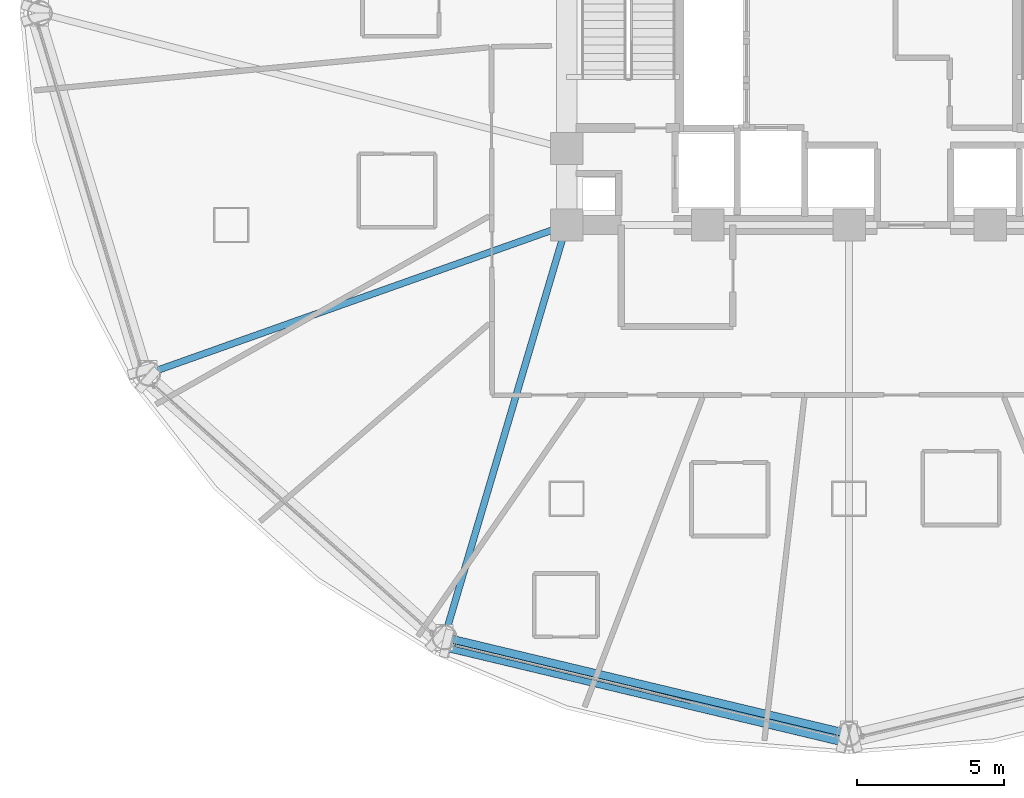
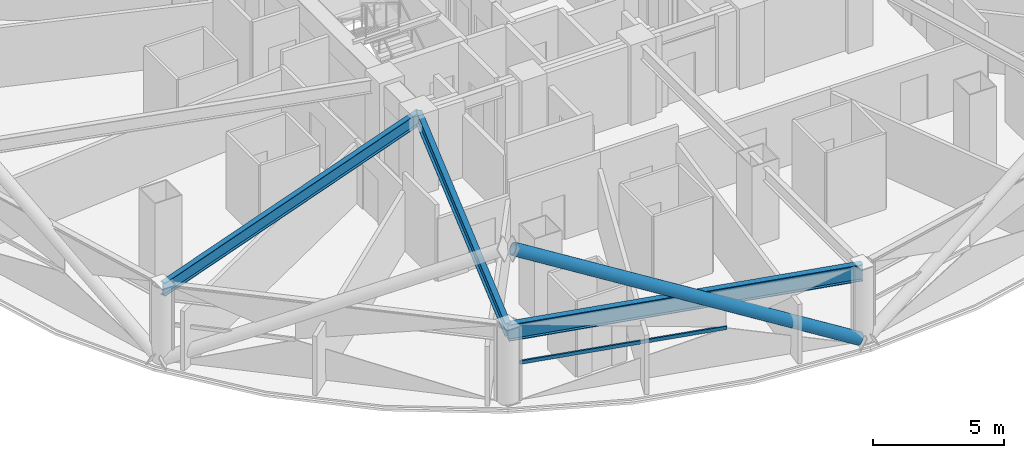
# One storey, part 3 of 30: 3 beams, 2 members, 1 element without a shape of its own.
"""IFC4 building model written with IfcOpenShell, lengths in metres."""

from ifc_helpers import new_model, si_unit, direction, frame, origin, origin_2d, place, context, subcontext, project, spatial, hollow_rectangle, hollow_circle, i_section, extrude, material, layer, layer_set, material_profile, profile_set, type_object, element, aggregate, save


model = new_model("IFC4")

# Units and contexts
model_context = context("Model", 3, precision=1e-05, world=origin(), true_north=direction((0.0, 1.0)))
body_context = subcontext(model_context, "Body", "Model", "MODEL_VIEW")
ifc_project = project(units=[si_unit("LENGTHUNIT", "METRE"), si_unit("AREAUNIT", "SQUARE_METRE"), si_unit("VOLUMEUNIT", "CUBIC_METRE"), si_unit("PLANEANGLEUNIT", "RADIAN"), si_unit("MASSUNIT", "GRAM", prefix="KILO")], contexts=[model_context])

# Site, building, storey
site_placement = place(None, origin())
site = spatial("IfcSite", under=ifc_project, at=site_placement, CompositionType="ELEMENT")
building_placement = place(site_placement, origin())
building = spatial("IfcBuilding", under=site, at=building_placement, Name="Vantalir Tower", CompositionType="ELEMENT")
storey_placement = place(building_placement, frame((0.0, 0.0, 79.5)))
storey = spatial("IfcBuildingStorey", under=building, at=storey_placement, Name="L19", CompositionType="ELEMENT", Elevation=79.5)

# Beams
ifc_material_1 = material(Name="Steel S355", Category="steel")
ifc_material_profile_1 = material_profile(ifc_material_1, i_section(OverallWidth=0.22998046875, OverallDepth=0.616943359375, WebThickness=0.01318359375, FlangeThickness=0.022216796875, at=origin_2d()), Name="Steel S355")
ifc_profile_set_1 = profile_set([ifc_material_profile_1], Name="Steel S355")
beam_type_1 = type_object("IfcBeamType", Name="BM-RB-610x229", PredefinedType="BEAM", material=ifc_profile_set_1)
beam_1_placement = place(storey_placement, frame((7.68408203125, 12.751953125, 3.261962890625), z_axis=(0.942348909406, 0.334631936522, 0.0), x_axis=(-0.334631936522, 0.942348909406, 0.0)))
element("IfcBeam", 1, at=beam_1_placement, inside=storey, type_object=beam_type_1, Name="L19 Radial Floor Beam 08", PredefinedType="BEAM", context=body_context, shape_type="SweptSolid", body=[
    extrude(i_section(OverallWidth=0.22998046875, OverallDepth=0.616943359375, WebThickness=0.01318359375, FlangeThickness=0.022216796875, at=origin_2d()), origin(), (0.0, 0.0, 1.0), 15.08544921875),
])
beam_2_placement = place(storey_placement, frame((17.75, 3.787109375, 3.261962890625), z_axis=(0.283957507108, 0.958836865247, 0.0), x_axis=(-0.958836865247, 0.283957507108, 0.0)))
element("IfcBeam", 2, at=beam_2_placement, inside=storey, type_object=beam_type_1, Name="L19 Radial Floor Beam 09", PredefinedType="BEAM", context=body_context, shape_type="SweptSolid", body=[
    extrude(i_section(OverallWidth=0.22998046875, OverallDepth=0.616943359375, WebThickness=0.01318359375, FlangeThickness=0.022216796875, at=origin_2d()), origin(), (0.0, 0.0, 1.0), 14.614501953125),
])
ifc_material_2 = material(Name="Steel S460", Category="steel")
ifc_material_profile_2 = material_profile(ifc_material_2, i_section(OverallWidth=0.26806640625, OverallDepth=0.77001953125, WebThickness=0.015625, FlangeThickness=0.025390625, at=origin_2d()), Name="Steel S460")
ifc_profile_set_2 = profile_set([ifc_material_profile_2], Name="Steel S460")
beam_type_2 = type_object("IfcBeamType", Name="BM-RG-762x267", PredefinedType="USERDEFINED", material=ifc_profile_set_2)
beam_3_placement = place(storey_placement, frame((17.75, 3.787109375, 3.18505859375), z_axis=(0.972671890468, -0.232183964763, 0.0), x_axis=(0.232183964763, 0.972671890468, 0.0)))
element("IfcBeam", 3, at=beam_3_placement, inside=storey, type_object=beam_type_2, Name="L19 Circumferential Ring Girder 09", ObjectType="GIRDER", PredefinedType="USERDEFINED", context=body_context, shape_type="SweptSolid", body=[
    extrude(i_section(OverallWidth=0.26806640625, OverallDepth=0.77001953125, WebThickness=0.015625, FlangeThickness=0.025390625, at=origin_2d()), origin(), (0.0, 0.0, 1.0), 14.13623046875),
])

# Curtain wall, member
ifc_material_3 = material(Name="Champagne-silver PVDF aluminium and double-silver Low-E glass", Category="aluminium")
ifc_layer = layer(ifc_material_3, 0.18994140625)
ifc_layer_set = layer_set([ifc_layer], Name="Champagne-silver PVDF aluminium and double-silver Low-E glass")
curtain_wall_type = type_object("IfcCurtainWallType", Name="CW-DIAMOND-Z1", PredefinedType="USERDEFINED", material=ifc_layer_set)
curtain_wall_placement = place(storey_placement, origin())
curtain_wall = element("IfcCurtainWall", 4, at=curtain_wall_placement, inside=storey, type_object=curtain_wall_type, Name="L19 Quilted Pyramid-Diamond Curtain Wall S09", ObjectType="UNITISED CURTAIN WALL", PredefinedType="USERDEFINED")
ifc_material_4 = material(Name="Champagne-silver PVDF aluminium 6063-T6", Category="aluminium")
ifc_material_profile_3 = material_profile(ifc_material_4, hollow_rectangle(XDim=0.074951171875, YDim=0.159912109375, WallThickness=0.00390625, at=origin_2d()), Name="Champagne-silver PVDF aluminium 6063-T6")
ifc_profile_set_3 = profile_set([ifc_material_profile_3], Name="Champagne-silver PVDF aluminium 6063-T6")
member_type_1 = type_object("IfcMemberType", Name="CWT-160x75", PredefinedType="USERDEFINED", material=ifc_profile_set_3)
member_1_placement = place(storey_placement, frame((18.112060546875, 3.512939453125, 1.784912109375), z_axis=(0.971942503817, -0.235218556398, 0.0), x_axis=(0.235218556398, 0.971942503817, 0.0)))
member_1 = element("IfcMember", 5, at=member_1_placement, type_object=member_type_1, Name="CW-L19-S09 Pyramid Fold Ridge Transom", ObjectType="TRANSOM", PredefinedType="USERDEFINED", context=body_context, shape_type="SweptSolid", body=[
    extrude(hollow_rectangle(XDim=0.074951171875, YDim=0.159912109375, WallThickness=0.00390625, at=origin_2d()), origin(), (0.0, 0.0, 1.0), 8.2431640625),
])
aggregate(curtain_wall, [member_1])

# Member
ifc_material_profile_4 = material_profile(ifc_material_2, hollow_circle(Radius=0.27001953125, WallThickness=0.044921875, at=origin_2d()), Name="Steel S460")
ifc_profile_set_4 = profile_set([ifc_material_profile_4], Name="Steel S460")
member_type_2 = type_object("IfcMemberType", Name="MEM-DB-540x45", PredefinedType="BRACE", material=ifc_profile_set_4)
member_2_placement = place(storey_placement, frame((31.30908203125, 0.361083984375, 0.178955078125), z_axis=(-0.868927817493, 0.207490098844, 0.449346533166), x_axis=(-0.232258742667, -0.972654037392, 0.0)))
element("IfcMember", 6, at=member_2_placement, inside=storey, type_object=member_type_2, Name="L19 Perimeter S460 Diagrid Brace R28R", PredefinedType="BRACE", context=body_context, shape_type="SweptSolid", body=[
    extrude(hollow_circle(Radius=0.27001953125, WallThickness=0.044921875, at=origin_2d()), origin(), (0.0, 0.0, 1.0), 15.493896484375),
])

save(model, "model.ifc")
